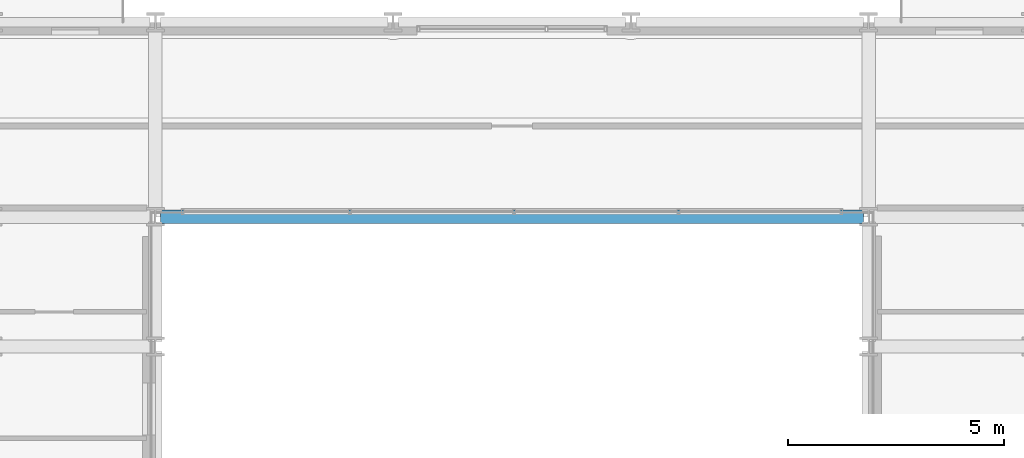
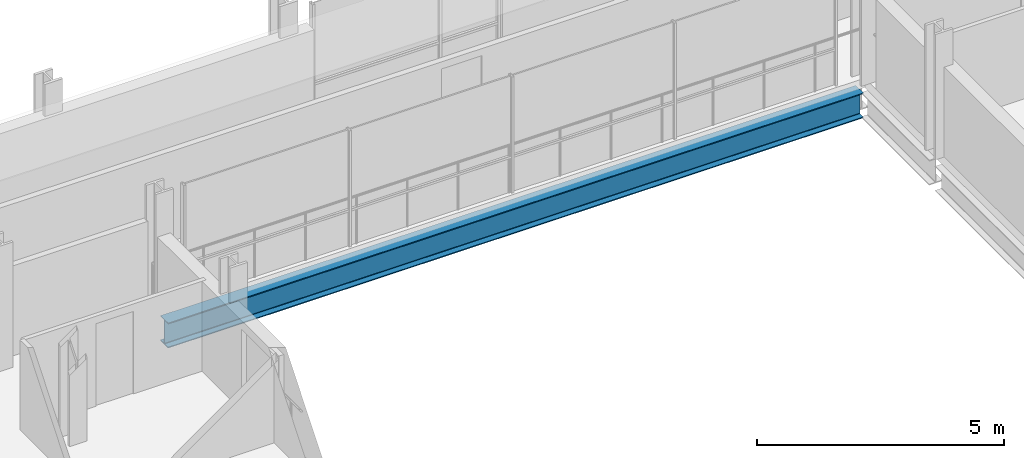
# One storey, part 10 of 40: 1 beam.
"""IFC4 building model written with IfcOpenShell, lengths in metres."""

from ifc_helpers import new_model, si_unit, direction, frame, origin, origin_2d, place, context, subcontext, project, spatial, i_section, extrude, material, material_profile, profile_set, type_object, element, save


model = new_model("IFC4")

# Units and contexts
model_context = context("Model", 3, precision=1e-05, world=origin(), true_north=direction((0.0, 1.0)))
body_context = subcontext(model_context, "Body", "Model", "MODEL_VIEW")
ifc_project = project(units=[si_unit("LENGTHUNIT", "METRE"), si_unit("AREAUNIT", "SQUARE_METRE"), si_unit("VOLUMEUNIT", "CUBIC_METRE"), si_unit("PLANEANGLEUNIT", "RADIAN"), si_unit("MASSUNIT", "GRAM", prefix="KILO")], contexts=[model_context])

# Site, building, storey
site_placement = place(None, origin())
site = spatial("IfcSite", under=ifc_project, at=site_placement, CompositionType="ELEMENT")
building_placement = place(site_placement, origin())
building = spatial("IfcBuilding", under=site, at=building_placement, Name="Brevholm Reach", CompositionType="ELEMENT")
storey_placement = place(building_placement, frame((0.0, 0.0, 62.10009765625)))
storey = spatial("IfcBuildingStorey", under=building, at=storey_placement, Name="L17", CompositionType="ELEMENT", Elevation=62.10009765625)

# Beam
ifc_material = material(Name="Structural Steel S355J2", Category="steel")
ifc_material_profile = material_profile(ifc_material, i_section(OverallWidth=0.30712890625, OverallDepth=0.6201171875, WebThickness=0.01416015625, FlangeThickness=0.023681640625, FilletRadius=0.0166015625, at=origin_2d()), Name="UKB 610x305x179")
ifc_profile_set = profile_set([ifc_material_profile], Name="Structural Steel S355J2")
beam_type = type_object("IfcBeamType", Name="BM-UKB610H", PredefinedType="USERDEFINED", material=ifc_profile_set)
beam_placement = place(storey_placement, frame((21.8701171875, 26.5, -0.540283203125), z_axis=(1.0, 0.0, 0.0), x_axis=(0.0, 1.0, 0.0)))
element("IfcBeam", 1, at=beam_placement, inside=storey, type_object=beam_type, Name="L17 G-06 Framing Beam", ObjectType="GIRDER", PredefinedType="USERDEFINED", context=body_context, shape_type="SweptSolid", body=[
    extrude(i_section(OverallWidth=0.30712890625, OverallDepth=0.6201171875, WebThickness=0.01416015625, FlangeThickness=0.023681640625, FilletRadius=0.0166015625, at=origin_2d()), origin(), (0.0, 0.0, 1.0), 16.259765625),
])

save(model, "model.ifc")
